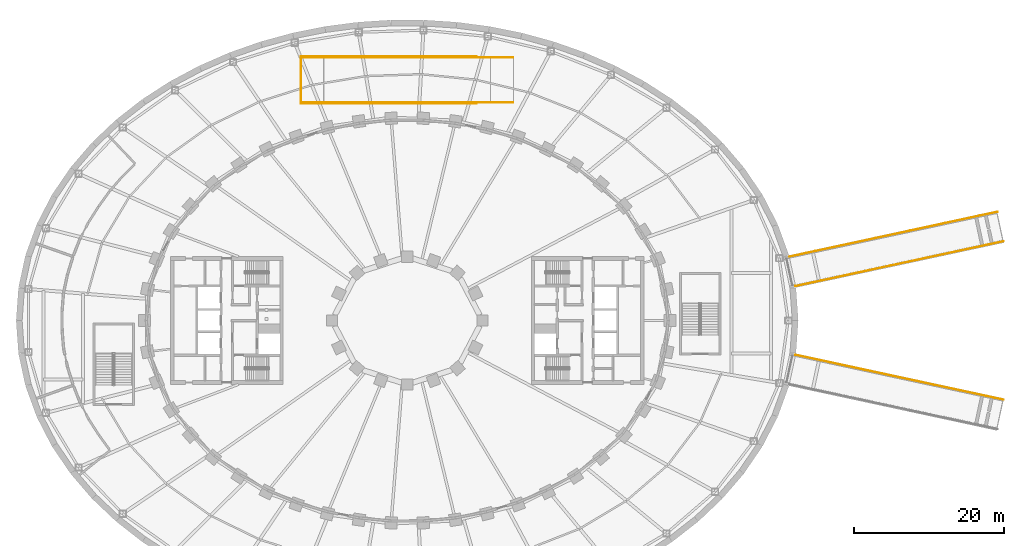
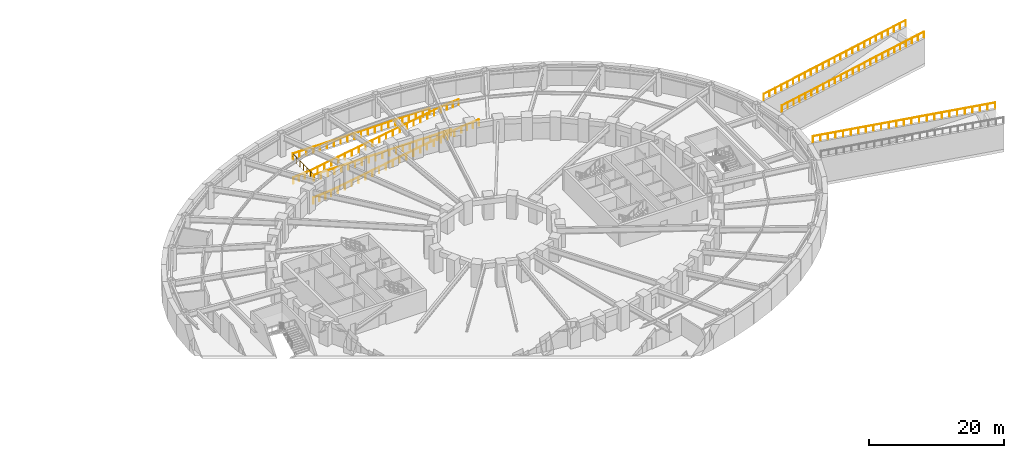
# One storey, part 31 of 32: 8 railings.
"""IFC4 building model written with IfcOpenShell, lengths in metres."""

from ifc_helpers import new_model, si_unit, direction, frame, origin, origin_2d, place, context, subcontext, project, spatial, rectangle, extrude, material, type_object, element, save


model = new_model("IFC4")

# Units and contexts
model_context = context("Model", 3, precision=1e-05, world=origin(), true_north=direction((0.0, 1.0)))
body_context = subcontext(model_context, "Body", "Model", "MODEL_VIEW")
ifc_project = project(units=[si_unit("LENGTHUNIT", "METRE"), si_unit("AREAUNIT", "SQUARE_METRE"), si_unit("VOLUMEUNIT", "CUBIC_METRE"), si_unit("PLANEANGLEUNIT", "RADIAN"), si_unit("MASSUNIT", "GRAM", prefix="KILO")], contexts=[model_context])

# Site, building, storey
site_placement = place(None, origin())
site = spatial("IfcSite", under=ifc_project, at=site_placement, CompositionType="ELEMENT")
building_placement = place(site_placement, origin())
building = spatial("IfcBuilding", under=site, at=building_placement, Name="Noorbagh Ring Tower", CompositionType="ELEMENT")
storey_placement = place(building_placement, frame((0.0, 0.0, -4.199951171875)))
storey = spatial("IfcBuildingStorey", under=building, at=storey_placement, Name="B1", CompositionType="ELEMENT", Elevation=-4.199951171875)

# Railings
ifc_material = material(Name="Stainless steel", Category="steel")
railing_type = type_object("IfcRailingType", Name="GND-RAIL", PredefinedType="GUARDRAIL", material=ifc_material)
railing_1_placement = place(storey_placement, frame((14.10009765625, 29.0, 0.0)))
element("IfcRailing", 1, at=railing_1_placement, inside=storey, type_object=railing_type, Name="Ramp guard", PredefinedType="GUARDRAIL", context=body_context, shape_type="SweptSolid", body=[
    extrude(rectangle(XDim=0.048095703125, YDim=0.048095703125, at=origin_2d()), frame((0.0, 0.0, 1.076171875), z_axis=(-0.996545758245, 0.0, -0.083045479854), x_axis=(0.0, -1.0, 0.0)), (0.0, 0.0, 1.0), 3.010498046875),
    extrude(rectangle(XDim=0.048095703125, YDim=0.048095703125, at=origin_2d()), frame((-3.0, 0.0, 0.826171875), z_axis=(-0.986394510183, 0.0, -0.164395469162), x_axis=(0.0, -1.0, 0.0)), (0.0, 0.0, 1.0), 22.50634765625),
    extrude(rectangle(XDim=0.048095703125, YDim=0.048095703125, at=origin_2d()), frame((-25.2001953125, 0.0, -2.8740234375), z_axis=(-0.996545758245, 0.0, -0.083045479854), x_axis=(0.0, -1.0, 0.0)), (0.0, 0.0, 1.0), 3.010498046875),
    extrude(rectangle(XDim=0.0419921875, YDim=0.0419921875, at=origin_2d()), origin(), (0.0, 0.0, 1.0), 1.052001953125),
    extrude(rectangle(XDim=0.0419921875, YDim=0.0419921875, at=origin_2d()), frame((-1.0, 0.0, -0.083251953125)), (0.0, 0.0, 1.0), 1.052001953125),
    extrude(rectangle(XDim=0.0419921875, YDim=0.0419921875, at=origin_2d()), frame((-2.0, 0.0, -0.166748046875)), (0.0, 0.0, 1.0), 1.052001953125),
    extrude(rectangle(XDim=0.0419921875, YDim=0.0419921875, at=origin_2d()), frame((-3.0, 0.0, -0.25)), (0.0, 0.0, 1.0), 1.052001953125),
    extrude(rectangle(XDim=0.0419921875, YDim=0.0419921875, at=origin_2d()), frame((-4.16845703125, 0.0, -0.44482421875)), (0.0, 0.0, 1.0), 1.052001953125),
    extrude(rectangle(XDim=0.0419921875, YDim=0.0419921875, at=origin_2d()), frame((-5.3369140625, 0.0, -0.639404296875)), (0.0, 0.0, 1.0), 1.052001953125),
    extrude(rectangle(XDim=0.0419921875, YDim=0.0419921875, at=origin_2d()), frame((-6.50537109375, 0.0, -0.834228515625)), (0.0, 0.0, 1.0), 1.052001953125),
    extrude(rectangle(XDim=0.0419921875, YDim=0.0419921875, at=origin_2d()), frame((-7.673828125, 0.0, -1.029052734375)), (0.0, 0.0, 1.0), 1.052001953125),
    extrude(rectangle(XDim=0.0419921875, YDim=0.0419921875, at=origin_2d()), frame((-8.842041015625, 0.0, -1.2236328125)), (0.0, 0.0, 1.0), 1.052001953125),
    extrude(rectangle(XDim=0.0419921875, YDim=0.0419921875, at=origin_2d()), frame((-10.010498046875, 0.0, -1.41845703125)), (0.0, 0.0, 1.0), 1.052001953125),
    extrude(rectangle(XDim=0.0419921875, YDim=0.0419921875, at=origin_2d()), frame((-11.178955078125, 0.0, -1.613037109375)), (0.0, 0.0, 1.0), 1.052001953125),
    extrude(rectangle(XDim=0.0419921875, YDim=0.0419921875, at=origin_2d()), frame((-12.347412109375, 0.0, -1.807861328125)), (0.0, 0.0, 1.0), 1.052001953125),
    extrude(rectangle(XDim=0.0419921875, YDim=0.0419921875, at=origin_2d()), frame((-13.515869140625, 0.0, -2.002685546875)), (0.0, 0.0, 1.0), 1.052001953125),
    extrude(rectangle(XDim=0.0419921875, YDim=0.0419921875, at=origin_2d()), frame((-14.684326171875, 0.0, -2.197265625)), (0.0, 0.0, 1.0), 1.052001953125),
    extrude(rectangle(XDim=0.0419921875, YDim=0.0419921875, at=origin_2d()), frame((-15.852783203125, 0.0, -2.39208984375)), (0.0, 0.0, 1.0), 1.052001953125),
    extrude(rectangle(XDim=0.0419921875, YDim=0.0419921875, at=origin_2d()), frame((-17.021240234375, 0.0, -2.5869140625)), (0.0, 0.0, 1.0), 1.052001953125),
    extrude(rectangle(XDim=0.0419921875, YDim=0.0419921875, at=origin_2d()), frame((-18.189697265625, 0.0, -2.781494140625)), (0.0, 0.0, 1.0), 1.052001953125),
    extrude(rectangle(XDim=0.0419921875, YDim=0.0419921875, at=origin_2d()), frame((-19.358154296875, 0.0, -2.976318359375)), (0.0, 0.0, 1.0), 1.052001953125),
    extrude(rectangle(XDim=0.0419921875, YDim=0.0419921875, at=origin_2d()), frame((-20.5263671875, 0.0, -3.1708984375)), (0.0, 0.0, 1.0), 1.052001953125),
    extrude(rectangle(XDim=0.0419921875, YDim=0.0419921875, at=origin_2d()), frame((-21.69482421875, 0.0, -3.36572265625)), (0.0, 0.0, 1.0), 1.052001953125),
    extrude(rectangle(XDim=0.0419921875, YDim=0.0419921875, at=origin_2d()), frame((-22.86328125, 0.0, -3.560546875)), (0.0, 0.0, 1.0), 1.052001953125),
    extrude(rectangle(XDim=0.0419921875, YDim=0.0419921875, at=origin_2d()), frame((-24.03173828125, 0.0, -3.755126953125)), (0.0, 0.0, 1.0), 1.052001953125),
    extrude(rectangle(XDim=0.0419921875, YDim=0.0419921875, at=origin_2d()), frame((-25.2001953125, 0.0, -3.949951171875)), (0.0, 0.0, 1.0), 1.052001953125),
    extrude(rectangle(XDim=0.0419921875, YDim=0.0419921875, at=origin_2d()), frame((-26.2001953125, 0.0, -4.033203125)), (0.0, 0.0, 1.0), 1.052001953125),
    extrude(rectangle(XDim=0.0419921875, YDim=0.0419921875, at=origin_2d()), frame((-27.2001953125, 0.0, -4.11669921875)), (0.0, 0.0, 1.0), 1.052001953125),
    extrude(rectangle(XDim=0.0419921875, YDim=0.0419921875, at=origin_2d()), frame((-28.2001953125, 0.0, -4.199951171875)), (0.0, 0.0, 1.0), 1.052001953125),
])
railing_2_placement = place(storey_placement, frame((14.10009765625, 35.0, 0.0)))
element("IfcRailing", 2, at=railing_2_placement, inside=storey, type_object=railing_type, Name="Ramp guard", PredefinedType="GUARDRAIL", context=body_context, shape_type="SweptSolid", body=[
    extrude(rectangle(XDim=0.048095703125, YDim=0.048095703125, at=origin_2d()), frame((0.0, 0.0, 1.076171875), z_axis=(-0.996545758245, 0.0, -0.083045479854), x_axis=(0.0, -1.0, 0.0)), (0.0, 0.0, 1.0), 3.010498046875),
    extrude(rectangle(XDim=0.048095703125, YDim=0.048095703125, at=origin_2d()), frame((-3.0, 0.0, 0.826171875), z_axis=(-0.986394510183, 0.0, -0.164395469162), x_axis=(0.0, -1.0, 0.0)), (0.0, 0.0, 1.0), 22.50634765625),
    extrude(rectangle(XDim=0.048095703125, YDim=0.048095703125, at=origin_2d()), frame((-25.2001953125, 0.0, -2.8740234375), z_axis=(-0.996545758245, 0.0, -0.083045479854), x_axis=(0.0, -1.0, 0.0)), (0.0, 0.0, 1.0), 3.010498046875),
    extrude(rectangle(XDim=0.0419921875, YDim=0.0419921875, at=origin_2d()), origin(), (0.0, 0.0, 1.0), 1.052001953125),
    extrude(rectangle(XDim=0.0419921875, YDim=0.0419921875, at=origin_2d()), frame((-1.0, 0.0, -0.083251953125)), (0.0, 0.0, 1.0), 1.052001953125),
    extrude(rectangle(XDim=0.0419921875, YDim=0.0419921875, at=origin_2d()), frame((-2.0, 0.0, -0.166748046875)), (0.0, 0.0, 1.0), 1.052001953125),
    extrude(rectangle(XDim=0.0419921875, YDim=0.0419921875, at=origin_2d()), frame((-3.0, 0.0, -0.25)), (0.0, 0.0, 1.0), 1.052001953125),
    extrude(rectangle(XDim=0.0419921875, YDim=0.0419921875, at=origin_2d()), frame((-4.16845703125, 0.0, -0.44482421875)), (0.0, 0.0, 1.0), 1.052001953125),
    extrude(rectangle(XDim=0.0419921875, YDim=0.0419921875, at=origin_2d()), frame((-5.3369140625, 0.0, -0.639404296875)), (0.0, 0.0, 1.0), 1.052001953125),
    extrude(rectangle(XDim=0.0419921875, YDim=0.0419921875, at=origin_2d()), frame((-6.50537109375, 0.0, -0.834228515625)), (0.0, 0.0, 1.0), 1.052001953125),
    extrude(rectangle(XDim=0.0419921875, YDim=0.0419921875, at=origin_2d()), frame((-7.673828125, 0.0, -1.029052734375)), (0.0, 0.0, 1.0), 1.052001953125),
    extrude(rectangle(XDim=0.0419921875, YDim=0.0419921875, at=origin_2d()), frame((-8.842041015625, 0.0, -1.2236328125)), (0.0, 0.0, 1.0), 1.052001953125),
    extrude(rectangle(XDim=0.0419921875, YDim=0.0419921875, at=origin_2d()), frame((-10.010498046875, 0.0, -1.41845703125)), (0.0, 0.0, 1.0), 1.052001953125),
    extrude(rectangle(XDim=0.0419921875, YDim=0.0419921875, at=origin_2d()), frame((-11.178955078125, 0.0, -1.613037109375)), (0.0, 0.0, 1.0), 1.052001953125),
    extrude(rectangle(XDim=0.0419921875, YDim=0.0419921875, at=origin_2d()), frame((-12.347412109375, 0.0, -1.807861328125)), (0.0, 0.0, 1.0), 1.052001953125),
    extrude(rectangle(XDim=0.0419921875, YDim=0.0419921875, at=origin_2d()), frame((-13.515869140625, 0.0, -2.002685546875)), (0.0, 0.0, 1.0), 1.052001953125),
    extrude(rectangle(XDim=0.0419921875, YDim=0.0419921875, at=origin_2d()), frame((-14.684326171875, 0.0, -2.197265625)), (0.0, 0.0, 1.0), 1.052001953125),
    extrude(rectangle(XDim=0.0419921875, YDim=0.0419921875, at=origin_2d()), frame((-15.852783203125, 0.0, -2.39208984375)), (0.0, 0.0, 1.0), 1.052001953125),
    extrude(rectangle(XDim=0.0419921875, YDim=0.0419921875, at=origin_2d()), frame((-17.021240234375, 0.0, -2.5869140625)), (0.0, 0.0, 1.0), 1.052001953125),
    extrude(rectangle(XDim=0.0419921875, YDim=0.0419921875, at=origin_2d()), frame((-18.189697265625, 0.0, -2.781494140625)), (0.0, 0.0, 1.0), 1.052001953125),
    extrude(rectangle(XDim=0.0419921875, YDim=0.0419921875, at=origin_2d()), frame((-19.358154296875, 0.0, -2.976318359375)), (0.0, 0.0, 1.0), 1.052001953125),
    extrude(rectangle(XDim=0.0419921875, YDim=0.0419921875, at=origin_2d()), frame((-20.5263671875, 0.0, -3.1708984375)), (0.0, 0.0, 1.0), 1.052001953125),
    extrude(rectangle(XDim=0.0419921875, YDim=0.0419921875, at=origin_2d()), frame((-21.69482421875, 0.0, -3.36572265625)), (0.0, 0.0, 1.0), 1.052001953125),
    extrude(rectangle(XDim=0.0419921875, YDim=0.0419921875, at=origin_2d()), frame((-22.86328125, 0.0, -3.560546875)), (0.0, 0.0, 1.0), 1.052001953125),
    extrude(rectangle(XDim=0.0419921875, YDim=0.0419921875, at=origin_2d()), frame((-24.03173828125, 0.0, -3.755126953125)), (0.0, 0.0, 1.0), 1.052001953125),
    extrude(rectangle(XDim=0.0419921875, YDim=0.0419921875, at=origin_2d()), frame((-25.2001953125, 0.0, -3.949951171875)), (0.0, 0.0, 1.0), 1.052001953125),
    extrude(rectangle(XDim=0.0419921875, YDim=0.0419921875, at=origin_2d()), frame((-26.2001953125, 0.0, -4.033203125)), (0.0, 0.0, 1.0), 1.052001953125),
    extrude(rectangle(XDim=0.0419921875, YDim=0.0419921875, at=origin_2d()), frame((-27.2001953125, 0.0, -4.11669921875)), (0.0, 0.0, 1.0), 1.052001953125),
    extrude(rectangle(XDim=0.0419921875, YDim=0.0419921875, at=origin_2d()), frame((-28.2001953125, 0.0, -4.199951171875)), (0.0, 0.0, 1.0), 1.052001953125),
])
railing_3_placement = place(storey_placement, frame((9.239990234375, 28.85009765625, 0.0)))
element("IfcRailing", 3, at=railing_3_placement, inside=storey, type_object=railing_type, Name="Ramp opening guard", PredefinedType="GUARDRAIL", context=body_context, shape_type="SweptSolid", body=[
    extrude(rectangle(XDim=0.048095703125, YDim=0.048095703125, at=origin_2d()), frame((0.0, 0.0, 1.076171875), z_axis=(-1.0, 0.0, 0.0), x_axis=(0.0, -1.0, 0.0)), (0.0, 0.0, 1.0), 23.340087890625),
    extrude(rectangle(XDim=0.0419921875, YDim=0.0419921875, at=origin_2d()), origin(), (0.0, 0.0, 1.0), 1.052001953125),
    extrude(rectangle(XDim=0.0419921875, YDim=0.0419921875, at=origin_2d()), frame((-1.1669921875, 0.0, 0.0)), (0.0, 0.0, 1.0), 1.052001953125),
    extrude(rectangle(XDim=0.0419921875, YDim=0.0419921875, at=origin_2d()), frame((-2.333984375, 0.0, 0.0)), (0.0, 0.0, 1.0), 1.052001953125),
    extrude(rectangle(XDim=0.0419921875, YDim=0.0419921875, at=origin_2d()), frame((-3.5009765625, 0.0, 0.0)), (0.0, 0.0, 1.0), 1.052001953125),
    extrude(rectangle(XDim=0.0419921875, YDim=0.0419921875, at=origin_2d()), frame((-4.66796875, 0.0, 0.0)), (0.0, 0.0, 1.0), 1.052001953125),
    extrude(rectangle(XDim=0.0419921875, YDim=0.0419921875, at=origin_2d()), frame((-5.8349609375, 0.0, 0.0)), (0.0, 0.0, 1.0), 1.052001953125),
    extrude(rectangle(XDim=0.0419921875, YDim=0.0419921875, at=origin_2d()), frame((-7.001953125, 0.0, 0.0)), (0.0, 0.0, 1.0), 1.052001953125),
    extrude(rectangle(XDim=0.0419921875, YDim=0.0419921875, at=origin_2d()), frame((-8.1689453125, 0.0, 0.0)), (0.0, 0.0, 1.0), 1.052001953125),
    extrude(rectangle(XDim=0.0419921875, YDim=0.0419921875, at=origin_2d()), frame((-9.3359375, 0.0, 0.0)), (0.0, 0.0, 1.0), 1.052001953125),
    extrude(rectangle(XDim=0.0419921875, YDim=0.0419921875, at=origin_2d()), frame((-10.5029296875, 0.0, 0.0)), (0.0, 0.0, 1.0), 1.052001953125),
    extrude(rectangle(XDim=0.0419921875, YDim=0.0419921875, at=origin_2d()), frame((-11.669921875, 0.0, 0.0)), (0.0, 0.0, 1.0), 1.052001953125),
    extrude(rectangle(XDim=0.0419921875, YDim=0.0419921875, at=origin_2d()), frame((-12.837158203125, 0.0, 0.0)), (0.0, 0.0, 1.0), 1.052001953125),
    extrude(rectangle(XDim=0.0419921875, YDim=0.0419921875, at=origin_2d()), frame((-14.004150390625, 0.0, 0.0)), (0.0, 0.0, 1.0), 1.052001953125),
    extrude(rectangle(XDim=0.0419921875, YDim=0.0419921875, at=origin_2d()), frame((-15.171142578125, 0.0, 0.0)), (0.0, 0.0, 1.0), 1.052001953125),
    extrude(rectangle(XDim=0.0419921875, YDim=0.0419921875, at=origin_2d()), frame((-16.338134765625, 0.0, 0.0)), (0.0, 0.0, 1.0), 1.052001953125),
    extrude(rectangle(XDim=0.0419921875, YDim=0.0419921875, at=origin_2d()), frame((-17.505126953125, 0.0, 0.0)), (0.0, 0.0, 1.0), 1.052001953125),
    extrude(rectangle(XDim=0.0419921875, YDim=0.0419921875, at=origin_2d()), frame((-18.672119140625, 0.0, 0.0)), (0.0, 0.0, 1.0), 1.052001953125),
    extrude(rectangle(XDim=0.0419921875, YDim=0.0419921875, at=origin_2d()), frame((-19.839111328125, 0.0, 0.0)), (0.0, 0.0, 1.0), 1.052001953125),
    extrude(rectangle(XDim=0.0419921875, YDim=0.0419921875, at=origin_2d()), frame((-21.006103515625, 0.0, 0.0)), (0.0, 0.0, 1.0), 1.052001953125),
    extrude(rectangle(XDim=0.0419921875, YDim=0.0419921875, at=origin_2d()), frame((-22.173095703125, 0.0, 0.0)), (0.0, 0.0, 1.0), 1.052001953125),
    extrude(rectangle(XDim=0.0419921875, YDim=0.0419921875, at=origin_2d()), frame((-23.340087890625, 0.0, 0.0)), (0.0, 0.0, 1.0), 1.052001953125),
])
railing_4_placement = place(storey_placement, frame((9.239990234375, 35.14990234375, 0.0)))
element("IfcRailing", 4, at=railing_4_placement, inside=storey, type_object=railing_type, Name="Ramp opening guard", PredefinedType="GUARDRAIL", context=body_context, shape_type="SweptSolid", body=[
    extrude(rectangle(XDim=0.048095703125, YDim=0.048095703125, at=origin_2d()), frame((0.0, 0.0, 1.076171875), z_axis=(-1.0, 0.0, 0.0), x_axis=(0.0, -1.0, 0.0)), (0.0, 0.0, 1.0), 23.340087890625),
    extrude(rectangle(XDim=0.0419921875, YDim=0.0419921875, at=origin_2d()), origin(), (0.0, 0.0, 1.0), 1.052001953125),
    extrude(rectangle(XDim=0.0419921875, YDim=0.0419921875, at=origin_2d()), frame((-1.1669921875, 0.0, 0.0)), (0.0, 0.0, 1.0), 1.052001953125),
    extrude(rectangle(XDim=0.0419921875, YDim=0.0419921875, at=origin_2d()), frame((-2.333984375, 0.0, 0.0)), (0.0, 0.0, 1.0), 1.052001953125),
    extrude(rectangle(XDim=0.0419921875, YDim=0.0419921875, at=origin_2d()), frame((-3.5009765625, 0.0, 0.0)), (0.0, 0.0, 1.0), 1.052001953125),
    extrude(rectangle(XDim=0.0419921875, YDim=0.0419921875, at=origin_2d()), frame((-4.66796875, 0.0, 0.0)), (0.0, 0.0, 1.0), 1.052001953125),
    extrude(rectangle(XDim=0.0419921875, YDim=0.0419921875, at=origin_2d()), frame((-5.8349609375, 0.0, 0.0)), (0.0, 0.0, 1.0), 1.052001953125),
    extrude(rectangle(XDim=0.0419921875, YDim=0.0419921875, at=origin_2d()), frame((-7.001953125, 0.0, 0.0)), (0.0, 0.0, 1.0), 1.052001953125),
    extrude(rectangle(XDim=0.0419921875, YDim=0.0419921875, at=origin_2d()), frame((-8.1689453125, 0.0, 0.0)), (0.0, 0.0, 1.0), 1.052001953125),
    extrude(rectangle(XDim=0.0419921875, YDim=0.0419921875, at=origin_2d()), frame((-9.3359375, 0.0, 0.0)), (0.0, 0.0, 1.0), 1.052001953125),
    extrude(rectangle(XDim=0.0419921875, YDim=0.0419921875, at=origin_2d()), frame((-10.5029296875, 0.0, 0.0)), (0.0, 0.0, 1.0), 1.052001953125),
    extrude(rectangle(XDim=0.0419921875, YDim=0.0419921875, at=origin_2d()), frame((-11.669921875, 0.0, 0.0)), (0.0, 0.0, 1.0), 1.052001953125),
    extrude(rectangle(XDim=0.0419921875, YDim=0.0419921875, at=origin_2d()), frame((-12.837158203125, 0.0, 0.0)), (0.0, 0.0, 1.0), 1.052001953125),
    extrude(rectangle(XDim=0.0419921875, YDim=0.0419921875, at=origin_2d()), frame((-14.004150390625, 0.0, 0.0)), (0.0, 0.0, 1.0), 1.052001953125),
    extrude(rectangle(XDim=0.0419921875, YDim=0.0419921875, at=origin_2d()), frame((-15.171142578125, 0.0, 0.0)), (0.0, 0.0, 1.0), 1.052001953125),
    extrude(rectangle(XDim=0.0419921875, YDim=0.0419921875, at=origin_2d()), frame((-16.338134765625, 0.0, 0.0)), (0.0, 0.0, 1.0), 1.052001953125),
    extrude(rectangle(XDim=0.0419921875, YDim=0.0419921875, at=origin_2d()), frame((-17.505126953125, 0.0, 0.0)), (0.0, 0.0, 1.0), 1.052001953125),
    extrude(rectangle(XDim=0.0419921875, YDim=0.0419921875, at=origin_2d()), frame((-18.672119140625, 0.0, 0.0)), (0.0, 0.0, 1.0), 1.052001953125),
    extrude(rectangle(XDim=0.0419921875, YDim=0.0419921875, at=origin_2d()), frame((-19.839111328125, 0.0, 0.0)), (0.0, 0.0, 1.0), 1.052001953125),
    extrude(rectangle(XDim=0.0419921875, YDim=0.0419921875, at=origin_2d()), frame((-21.006103515625, 0.0, 0.0)), (0.0, 0.0, 1.0), 1.052001953125),
    extrude(rectangle(XDim=0.0419921875, YDim=0.0419921875, at=origin_2d()), frame((-22.173095703125, 0.0, 0.0)), (0.0, 0.0, 1.0), 1.052001953125),
    extrude(rectangle(XDim=0.0419921875, YDim=0.0419921875, at=origin_2d()), frame((-23.340087890625, 0.0, 0.0)), (0.0, 0.0, 1.0), 1.052001953125),
])
railing_5_placement = place(storey_placement, frame((-14.10009765625, 28.85009765625, 0.0)))
element("IfcRailing", 5, at=railing_5_placement, inside=storey, type_object=railing_type, Name="Ramp opening guard", PredefinedType="GUARDRAIL", context=body_context, shape_type="SweptSolid", body=[
    extrude(rectangle(XDim=0.048095703125, YDim=0.048095703125, at=origin_2d()), frame((0.0, 0.0, 1.076171875), z_axis=(0.0, 1.0, 0.0), x_axis=(-1.0, 0.0, 0.0)), (0.0, 0.0, 1.0), 6.2998046875),
    extrude(rectangle(XDim=0.0419921875, YDim=0.0419921875, at=origin_2d()), origin(), (0.0, 0.0, 1.0), 1.052001953125),
    extrude(rectangle(XDim=0.0419921875, YDim=0.0419921875, at=origin_2d()), frame((0.0, 1.050048828125, 0.0)), (0.0, 0.0, 1.0), 1.052001953125),
    extrude(rectangle(XDim=0.0419921875, YDim=0.0419921875, at=origin_2d()), frame((0.0, 2.099853515625, 0.0)), (0.0, 0.0, 1.0), 1.052001953125),
    extrude(rectangle(XDim=0.0419921875, YDim=0.0419921875, at=origin_2d()), frame((0.0, 3.14990234375, 0.0)), (0.0, 0.0, 1.0), 1.052001953125),
    extrude(rectangle(XDim=0.0419921875, YDim=0.0419921875, at=origin_2d()), frame((0.0, 4.199951171875, 0.0)), (0.0, 0.0, 1.0), 1.052001953125),
    extrude(rectangle(XDim=0.0419921875, YDim=0.0419921875, at=origin_2d()), frame((0.0, 5.249755859375, 0.0)), (0.0, 0.0, 1.0), 1.052001953125),
    extrude(rectangle(XDim=0.0419921875, YDim=0.0419921875, at=origin_2d()), frame((0.0, 6.2998046875, 0.0)), (0.0, 0.0, 1.0), 1.052001953125),
])
railing_6_placement = place(storey_placement, frame((51.6455078125, 4.57568359375, 4.199951171875)))
element("IfcRailing", 6, at=railing_6_placement, inside=storey, type_object=railing_type, Name="Street ramp guard", PredefinedType="GUARDRAIL", context=body_context, shape_type="SweptSolid", body=[
    extrude(rectangle(XDim=0.048095703125, YDim=0.048095703125, at=origin_2d()), frame((0.0, 0.0, 1.076171875), z_axis=(0.977564949659, 0.210634207092, 0.0), x_axis=(-0.210634207092, 0.977564949659, 0.0)), (0.0, 0.0, 1.0), 28.300048828125),
    extrude(rectangle(XDim=0.0419921875, YDim=0.0419921875, at=origin_2d()), origin(), (0.0, 0.0, 1.0), 1.052001953125),
    extrude(rectangle(XDim=0.0419921875, YDim=0.0419921875, at=origin_2d()), frame((1.15283203125, 0.248291015625, 0.0)), (0.0, 0.0, 1.0), 1.052001953125),
    extrude(rectangle(XDim=0.0419921875, YDim=0.0419921875, at=origin_2d()), frame((2.305419921875, 0.496826171875, 0.0)), (0.0, 0.0, 1.0), 1.052001953125),
    extrude(rectangle(XDim=0.0419921875, YDim=0.0419921875, at=origin_2d()), frame((3.4580078125, 0.7451171875, 0.0)), (0.0, 0.0, 1.0), 1.052001953125),
    extrude(rectangle(XDim=0.0419921875, YDim=0.0419921875, at=origin_2d()), frame((4.61083984375, 0.993408203125, 0.0)), (0.0, 0.0, 1.0), 1.052001953125),
    extrude(rectangle(XDim=0.0419921875, YDim=0.0419921875, at=origin_2d()), frame((5.763671875, 1.241943359375, 0.0)), (0.0, 0.0, 1.0), 1.052001953125),
    extrude(rectangle(XDim=0.0419921875, YDim=0.0419921875, at=origin_2d()), frame((6.916259765625, 1.490234375, 0.0)), (0.0, 0.0, 1.0), 1.052001953125),
    extrude(rectangle(XDim=0.0419921875, YDim=0.0419921875, at=origin_2d()), frame((8.06884765625, 1.738525390625, 0.0)), (0.0, 0.0, 1.0), 1.052001953125),
    extrude(rectangle(XDim=0.0419921875, YDim=0.0419921875, at=origin_2d()), frame((9.2216796875, 1.987060546875, 0.0)), (0.0, 0.0, 1.0), 1.052001953125),
    extrude(rectangle(XDim=0.0419921875, YDim=0.0419921875, at=origin_2d()), frame((10.37451171875, 2.2353515625, 0.0)), (0.0, 0.0, 1.0), 1.052001953125),
    extrude(rectangle(XDim=0.0419921875, YDim=0.0419921875, at=origin_2d()), frame((11.527099609375, 2.483642578125, 0.0)), (0.0, 0.0, 1.0), 1.052001953125),
    extrude(rectangle(XDim=0.0419921875, YDim=0.0419921875, at=origin_2d()), frame((12.6796875, 2.732177734375, 0.0)), (0.0, 0.0, 1.0), 1.052001953125),
    extrude(rectangle(XDim=0.0419921875, YDim=0.0419921875, at=origin_2d()), frame((13.83251953125, 2.98046875, 0.0)), (0.0, 0.0, 1.0), 1.052001953125),
    extrude(rectangle(XDim=0.0419921875, YDim=0.0419921875, at=origin_2d()), frame((14.985107421875, 3.228759765625, 0.0)), (0.0, 0.0, 1.0), 1.052001953125),
    extrude(rectangle(XDim=0.0419921875, YDim=0.0419921875, at=origin_2d()), frame((16.137939453125, 3.477294921875, 0.0)), (0.0, 0.0, 1.0), 1.052001953125),
    extrude(rectangle(XDim=0.0419921875, YDim=0.0419921875, at=origin_2d()), frame((17.29052734375, 3.7255859375, 0.0)), (0.0, 0.0, 1.0), 1.052001953125),
    extrude(rectangle(XDim=0.0419921875, YDim=0.0419921875, at=origin_2d()), frame((18.443359375, 3.973876953125, 0.0)), (0.0, 0.0, 1.0), 1.052001953125),
    extrude(rectangle(XDim=0.0419921875, YDim=0.0419921875, at=origin_2d()), frame((19.59619140625, 4.222412109375, 0.0)), (0.0, 0.0, 1.0), 1.052001953125),
    extrude(rectangle(XDim=0.0419921875, YDim=0.0419921875, at=origin_2d()), frame((20.748779296875, 4.470703125, 0.0)), (0.0, 0.0, 1.0), 1.052001953125),
    extrude(rectangle(XDim=0.0419921875, YDim=0.0419921875, at=origin_2d()), frame((21.9013671875, 4.718994140625, 0.0)), (0.0, 0.0, 1.0), 1.052001953125),
    extrude(rectangle(XDim=0.0419921875, YDim=0.0419921875, at=origin_2d()), frame((23.05419921875, 4.967529296875, 0.0)), (0.0, 0.0, 1.0), 1.052001953125),
    extrude(rectangle(XDim=0.0419921875, YDim=0.0419921875, at=origin_2d()), frame((24.20703125, 5.2158203125, 0.0)), (0.0, 0.0, 1.0), 1.052001953125),
    extrude(rectangle(XDim=0.0419921875, YDim=0.0419921875, at=origin_2d()), frame((25.359619140625, 5.464111328125, 0.0)), (0.0, 0.0, 1.0), 1.052001953125),
    extrude(rectangle(XDim=0.0419921875, YDim=0.0419921875, at=origin_2d()), frame((26.51220703125, 5.712646484375, 0.0)), (0.0, 0.0, 1.0), 1.052001953125),
    extrude(rectangle(XDim=0.0419921875, YDim=0.0419921875, at=origin_2d()), frame((27.6650390625, 5.9609375, 0.0)), (0.0, 0.0, 1.0), 1.052001953125),
])
railing_7_placement = place(storey_placement, frame((50.802734375, 8.48583984375, 4.199951171875)))
element("IfcRailing", 7, at=railing_7_placement, inside=storey, type_object=railing_type, Name="Street ramp guard", PredefinedType="GUARDRAIL", context=body_context, shape_type="SweptSolid", body=[
    extrude(rectangle(XDim=0.048095703125, YDim=0.048095703125, at=origin_2d()), frame((0.0, 0.0, 1.076171875), z_axis=(0.977565332402, 0.210632430756, 0.0), x_axis=(-0.210632430756, 0.977565332402, 0.0)), (0.0, 0.0, 1.0), 28.30029296875),
    extrude(rectangle(XDim=0.0419921875, YDim=0.0419921875, at=origin_2d()), origin(), (0.0, 0.0, 1.0), 1.052001953125),
    extrude(rectangle(XDim=0.0419921875, YDim=0.0419921875, at=origin_2d()), frame((1.15283203125, 0.248291015625, 0.0)), (0.0, 0.0, 1.0), 1.052001953125),
    extrude(rectangle(XDim=0.0419921875, YDim=0.0419921875, at=origin_2d()), frame((2.305419921875, 0.496826171875, 0.0)), (0.0, 0.0, 1.0), 1.052001953125),
    extrude(rectangle(XDim=0.0419921875, YDim=0.0419921875, at=origin_2d()), frame((3.458251953125, 0.7451171875, 0.0)), (0.0, 0.0, 1.0), 1.052001953125),
    extrude(rectangle(XDim=0.0419921875, YDim=0.0419921875, at=origin_2d()), frame((4.61083984375, 0.993408203125, 0.0)), (0.0, 0.0, 1.0), 1.052001953125),
    extrude(rectangle(XDim=0.0419921875, YDim=0.0419921875, at=origin_2d()), frame((5.763671875, 1.241943359375, 0.0)), (0.0, 0.0, 1.0), 1.052001953125),
    extrude(rectangle(XDim=0.0419921875, YDim=0.0419921875, at=origin_2d()), frame((6.916259765625, 1.490234375, 0.0)), (0.0, 0.0, 1.0), 1.052001953125),
    extrude(rectangle(XDim=0.0419921875, YDim=0.0419921875, at=origin_2d()), frame((8.069091796875, 1.738525390625, 0.0)), (0.0, 0.0, 1.0), 1.052001953125),
    extrude(rectangle(XDim=0.0419921875, YDim=0.0419921875, at=origin_2d()), frame((9.2216796875, 1.987060546875, 0.0)), (0.0, 0.0, 1.0), 1.052001953125),
    extrude(rectangle(XDim=0.0419921875, YDim=0.0419921875, at=origin_2d()), frame((10.37451171875, 2.2353515625, 0.0)), (0.0, 0.0, 1.0), 1.052001953125),
    extrude(rectangle(XDim=0.0419921875, YDim=0.0419921875, at=origin_2d()), frame((11.527099609375, 2.483642578125, 0.0)), (0.0, 0.0, 1.0), 1.052001953125),
    extrude(rectangle(XDim=0.0419921875, YDim=0.0419921875, at=origin_2d()), frame((12.679931640625, 2.732177734375, 0.0)), (0.0, 0.0, 1.0), 1.052001953125),
    extrude(rectangle(XDim=0.0419921875, YDim=0.0419921875, at=origin_2d()), frame((13.83251953125, 2.98046875, 0.0)), (0.0, 0.0, 1.0), 1.052001953125),
    extrude(rectangle(XDim=0.0419921875, YDim=0.0419921875, at=origin_2d()), frame((14.9853515625, 3.228759765625, 0.0)), (0.0, 0.0, 1.0), 1.052001953125),
    extrude(rectangle(XDim=0.0419921875, YDim=0.0419921875, at=origin_2d()), frame((16.13818359375, 3.477294921875, 0.0)), (0.0, 0.0, 1.0), 1.052001953125),
    extrude(rectangle(XDim=0.0419921875, YDim=0.0419921875, at=origin_2d()), frame((17.290771484375, 3.7255859375, 0.0)), (0.0, 0.0, 1.0), 1.052001953125),
    extrude(rectangle(XDim=0.0419921875, YDim=0.0419921875, at=origin_2d()), frame((18.443603515625, 3.973876953125, 0.0)), (0.0, 0.0, 1.0), 1.052001953125),
    extrude(rectangle(XDim=0.0419921875, YDim=0.0419921875, at=origin_2d()), frame((19.59619140625, 4.222412109375, 0.0)), (0.0, 0.0, 1.0), 1.052001953125),
    extrude(rectangle(XDim=0.0419921875, YDim=0.0419921875, at=origin_2d()), frame((20.7490234375, 4.470703125, 0.0)), (0.0, 0.0, 1.0), 1.052001953125),
    extrude(rectangle(XDim=0.0419921875, YDim=0.0419921875, at=origin_2d()), frame((21.901611328125, 4.718994140625, 0.0)), (0.0, 0.0, 1.0), 1.052001953125),
    extrude(rectangle(XDim=0.0419921875, YDim=0.0419921875, at=origin_2d()), frame((23.054443359375, 4.967529296875, 0.0)), (0.0, 0.0, 1.0), 1.052001953125),
    extrude(rectangle(XDim=0.0419921875, YDim=0.0419921875, at=origin_2d()), frame((24.20703125, 5.2158203125, 0.0)), (0.0, 0.0, 1.0), 1.052001953125),
    extrude(rectangle(XDim=0.0419921875, YDim=0.0419921875, at=origin_2d()), frame((25.35986328125, 5.464111328125, 0.0)), (0.0, 0.0, 1.0), 1.052001953125),
    extrude(rectangle(XDim=0.0419921875, YDim=0.0419921875, at=origin_2d()), frame((26.512451171875, 5.712646484375, 0.0)), (0.0, 0.0, 1.0), 1.052001953125),
    extrude(rectangle(XDim=0.0419921875, YDim=0.0419921875, at=origin_2d()), frame((27.665283203125, 5.9609375, 0.0)), (0.0, 0.0, 1.0), 1.052001953125),
])
railing_8_placement = place(storey_placement, frame((51.6455078125, -4.57568359375, 4.199951171875)))
element("IfcRailing", 8, at=railing_8_placement, inside=storey, type_object=railing_type, Name="Street ramp guard", PredefinedType="GUARDRAIL", context=body_context, shape_type="SweptSolid", body=[
    extrude(rectangle(XDim=0.048095703125, YDim=0.048095703125, at=origin_2d()), frame((0.0, 0.0, 1.076171875), z_axis=(0.977564949659, -0.210634207092, 0.0), x_axis=(0.210634207092, 0.977564949659, 0.0)), (0.0, 0.0, 1.0), 28.300048828125),
    extrude(rectangle(XDim=0.0419921875, YDim=0.0419921875, at=origin_2d()), origin(), (0.0, 0.0, 1.0), 1.052001953125),
    extrude(rectangle(XDim=0.0419921875, YDim=0.0419921875, at=origin_2d()), frame((1.15283203125, -0.248291015625, 0.0)), (0.0, 0.0, 1.0), 1.052001953125),
    extrude(rectangle(XDim=0.0419921875, YDim=0.0419921875, at=origin_2d()), frame((2.305419921875, -0.496826171875, 0.0)), (0.0, 0.0, 1.0), 1.052001953125),
    extrude(rectangle(XDim=0.0419921875, YDim=0.0419921875, at=origin_2d()), frame((3.4580078125, -0.7451171875, 0.0)), (0.0, 0.0, 1.0), 1.052001953125),
    extrude(rectangle(XDim=0.0419921875, YDim=0.0419921875, at=origin_2d()), frame((4.61083984375, -0.993408203125, 0.0)), (0.0, 0.0, 1.0), 1.052001953125),
    extrude(rectangle(XDim=0.0419921875, YDim=0.0419921875, at=origin_2d()), frame((5.763671875, -1.241943359375, 0.0)), (0.0, 0.0, 1.0), 1.052001953125),
    extrude(rectangle(XDim=0.0419921875, YDim=0.0419921875, at=origin_2d()), frame((6.916259765625, -1.490234375, 0.0)), (0.0, 0.0, 1.0), 1.052001953125),
    extrude(rectangle(XDim=0.0419921875, YDim=0.0419921875, at=origin_2d()), frame((8.06884765625, -1.738525390625, 0.0)), (0.0, 0.0, 1.0), 1.052001953125),
    extrude(rectangle(XDim=0.0419921875, YDim=0.0419921875, at=origin_2d()), frame((9.2216796875, -1.987060546875, 0.0)), (0.0, 0.0, 1.0), 1.052001953125),
    extrude(rectangle(XDim=0.0419921875, YDim=0.0419921875, at=origin_2d()), frame((10.37451171875, -2.2353515625, 0.0)), (0.0, 0.0, 1.0), 1.052001953125),
    extrude(rectangle(XDim=0.0419921875, YDim=0.0419921875, at=origin_2d()), frame((11.527099609375, -2.483642578125, 0.0)), (0.0, 0.0, 1.0), 1.052001953125),
    extrude(rectangle(XDim=0.0419921875, YDim=0.0419921875, at=origin_2d()), frame((12.6796875, -2.732177734375, 0.0)), (0.0, 0.0, 1.0), 1.052001953125),
    extrude(rectangle(XDim=0.0419921875, YDim=0.0419921875, at=origin_2d()), frame((13.83251953125, -2.98046875, 0.0)), (0.0, 0.0, 1.0), 1.052001953125),
    extrude(rectangle(XDim=0.0419921875, YDim=0.0419921875, at=origin_2d()), frame((14.985107421875, -3.228759765625, 0.0)), (0.0, 0.0, 1.0), 1.052001953125),
    extrude(rectangle(XDim=0.0419921875, YDim=0.0419921875, at=origin_2d()), frame((16.137939453125, -3.477294921875, 0.0)), (0.0, 0.0, 1.0), 1.052001953125),
    extrude(rectangle(XDim=0.0419921875, YDim=0.0419921875, at=origin_2d()), frame((17.29052734375, -3.7255859375, 0.0)), (0.0, 0.0, 1.0), 1.052001953125),
    extrude(rectangle(XDim=0.0419921875, YDim=0.0419921875, at=origin_2d()), frame((18.443359375, -3.973876953125, 0.0)), (0.0, 0.0, 1.0), 1.052001953125),
    extrude(rectangle(XDim=0.0419921875, YDim=0.0419921875, at=origin_2d()), frame((19.59619140625, -4.222412109375, 0.0)), (0.0, 0.0, 1.0), 1.052001953125),
    extrude(rectangle(XDim=0.0419921875, YDim=0.0419921875, at=origin_2d()), frame((20.748779296875, -4.470703125, 0.0)), (0.0, 0.0, 1.0), 1.052001953125),
    extrude(rectangle(XDim=0.0419921875, YDim=0.0419921875, at=origin_2d()), frame((21.9013671875, -4.718994140625, 0.0)), (0.0, 0.0, 1.0), 1.052001953125),
    extrude(rectangle(XDim=0.0419921875, YDim=0.0419921875, at=origin_2d()), frame((23.05419921875, -4.967529296875, 0.0)), (0.0, 0.0, 1.0), 1.052001953125),
    extrude(rectangle(XDim=0.0419921875, YDim=0.0419921875, at=origin_2d()), frame((24.20703125, -5.2158203125, 0.0)), (0.0, 0.0, 1.0), 1.052001953125),
    extrude(rectangle(XDim=0.0419921875, YDim=0.0419921875, at=origin_2d()), frame((25.359619140625, -5.464111328125, 0.0)), (0.0, 0.0, 1.0), 1.052001953125),
    extrude(rectangle(XDim=0.0419921875, YDim=0.0419921875, at=origin_2d()), frame((26.51220703125, -5.712646484375, 0.0)), (0.0, 0.0, 1.0), 1.052001953125),
    extrude(rectangle(XDim=0.0419921875, YDim=0.0419921875, at=origin_2d()), frame((27.6650390625, -5.9609375, 0.0)), (0.0, 0.0, 1.0), 1.052001953125),
])

save(model, "model.ifc")
